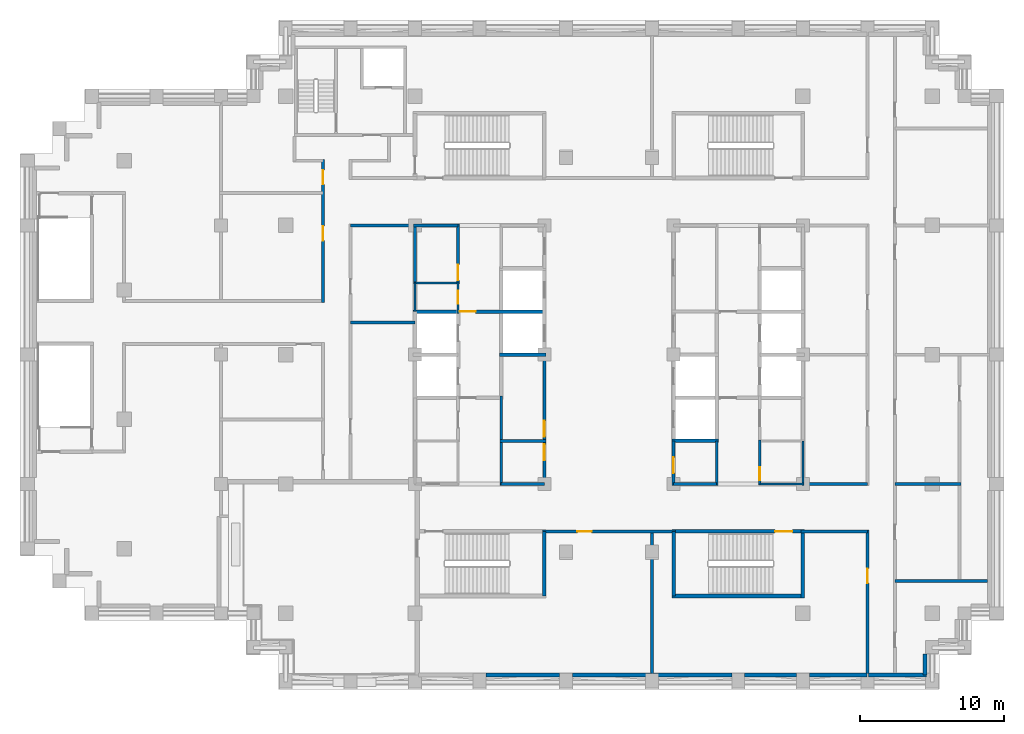
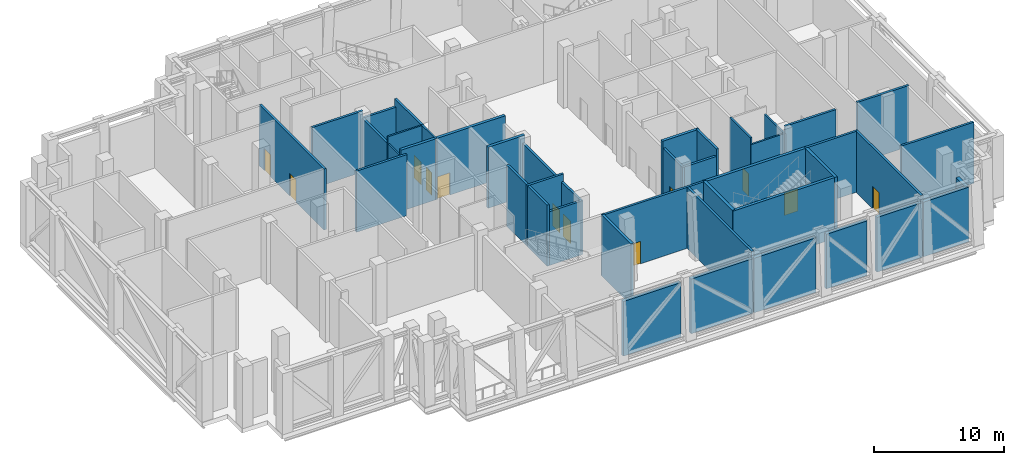
# One storey, part 5 of 10: 41 walls, 12 doors, 12 openings.
"""IFC4 building model written with IfcOpenShell, lengths in metres."""

from ifc_helpers import new_model, si_unit, direction, frame, frame_2d, origin, place, context, subcontext, project, spatial, rectangle, extrude, material, layer, layer_set, type_object, element, fill, save


model = new_model("IFC4")

# Units and contexts
model_context = context("Model", 3, precision=1e-05, world=origin(), true_north=direction((0.0, 1.0)))
body_context = subcontext(model_context, "Body", "Model", "MODEL_VIEW")
ifc_project = project(units=[si_unit("LENGTHUNIT", "METRE"), si_unit("AREAUNIT", "SQUARE_METRE"), si_unit("VOLUMEUNIT", "CUBIC_METRE"), si_unit("PLANEANGLEUNIT", "RADIAN"), si_unit("MASSUNIT", "GRAM", prefix="KILO")], contexts=[model_context])

# Site, building, storey
site_placement = place(None, origin())
site = spatial("IfcSite", under=ifc_project, at=site_placement, CompositionType="ELEMENT")
building_placement = place(site_placement, origin())
building = spatial("IfcBuilding", under=site, at=building_placement, Name="Corbelhall Arena Tower", CompositionType="ELEMENT")
storey_placement = place(building_placement, frame((0.0, 0.0, 236.0)))
storey = spatial("IfcBuildingStorey", under=building, at=storey_placement, Name="L50", CompositionType="ELEMENT", Elevation=236.0)

# Walls
ifc_material_1 = material(Name="Precast concrete C40/50 with granite facing", Category="masonry")
ifc_layer_1 = layer(ifc_material_1, 0.300048828125)
ifc_layer_set_1 = layer_set([ifc_layer_1], Name="EV-IW1 Infill panel 300")
wall_type_1 = type_object("IfcWallType", Name="EV-IW1 Infill panel 300", PredefinedType="SOLIDWALL", material=ifc_layer_set_1)
wall_1_placement = place(storey_placement, frame((-8.550048828125, -22.300048828125, 0.0), z_axis=(0.0, 0.0, 1.0), x_axis=(1.0, 0.0, 0.0)))
element("IfcWall", 1, at=wall_1_placement, inside=storey, type_object=wall_type_1, Name="Infill panel IW1", PredefinedType="SOLIDWALL", context=body_context, shape_type="SweptSolid", body=[
    extrude(rectangle(XDim=5.10009765625, YDim=0.300048828125, at=frame_2d((2.550048828125, 0.0))), origin(), (0.0, 0.0, 1.0), 5.1201171875),
])
for number, where, z_axis, x_axis, name in (
    (2, (-2.550048828125, -22.300048828125, 0.0), (0.0, 0.0, 1.0), (1.0, 0.0, 0.0), "Infill panel IW1"),
    (3, (3.050048828125, -22.300048828125, 0.0), (0.0, 0.0, 1.0), (1.0, 0.0, 0.0), "Infill panel IW1"),
):
    element("IfcWall", number, at=place(storey_placement, frame(where, z_axis=z_axis, x_axis=x_axis)), inside=storey, type_object=wall_type_1, Name=name, PredefinedType="SOLIDWALL", context=body_context, shape_type="SweptSolid", body=[
        extrude(rectangle(XDim=5.5, YDim=0.300048828125, at=frame_2d((2.75, 0.0))), origin(), (0.0, 0.0, 1.0), 5.1201171875),
    ])
wall_2_placement = place(storey_placement, frame((9.449951171875, -22.300048828125, 0.0), z_axis=(0.0, 0.0, 1.0), x_axis=(1.0, 0.0, 0.0)))
element("IfcWall", 4, at=wall_2_placement, inside=storey, type_object=wall_type_1, Name="Infill panel IW1", PredefinedType="SOLIDWALL", context=body_context, shape_type="SweptSolid", body=[
    extrude(rectangle(XDim=3.60009765625, YDim=0.300048828125, at=frame_2d((1.800048828125, 0.0))), origin(), (0.0, 0.0, 1.0), 5.1201171875),
])
wall_3_placement = place(storey_placement, frame((13.949951171875, -22.300048828125, 0.0), z_axis=(0.0, 0.0, 1.0), x_axis=(1.0, 0.0, 0.0)))
element("IfcWall", 5, at=wall_3_placement, inside=storey, type_object=wall_type_1, Name="Infill panel IW1", PredefinedType="SOLIDWALL", context=body_context, shape_type="SweptSolid", body=[
    extrude(rectangle(XDim=4.0, YDim=0.300048828125, at=frame_2d((2.0, 0.0))), origin(), (0.0, 0.0, 1.0), 5.1201171875),
])
wall_4_placement = place(storey_placement, frame((18.050048828125, -22.300048828125, 0.0), z_axis=(0.0, 0.0, 1.0), x_axis=(1.0, 0.0, 0.0)))
element("IfcWall", 6, at=wall_4_placement, inside=storey, type_object=wall_type_1, Name="Infill panel IW1", PredefinedType="SOLIDWALL", context=body_context, shape_type="SweptSolid", body=[
    extrude(rectangle(XDim=4.06005859375, YDim=0.300048828125, at=frame_2d((2.030029296875, 0.0))), origin(), (0.0, 0.0, 1.0), 5.1201171875),
])
wall_5_placement = place(storey_placement, frame((22.0, -22.300048828125, 0.0), z_axis=(0.0, 0.0, 1.0), x_axis=(0.0, 1.0, 0.0)))
element("IfcWall", 7, at=wall_5_placement, inside=storey, type_object=wall_type_1, Name="Infill panel IW1", PredefinedType="SOLIDWALL", context=body_context, shape_type="SweptSolid", body=[
    extrude(rectangle(XDim=1.449951171875, YDim=0.300048828125, at=frame_2d((0.72509765625, 0.0))), origin(), (0.0, 0.0, 1.0), 5.1201171875),
])

# Wall, openings, doors
ifc_material_2 = material(Name="Gypsum board on steel stud, acoustic", Category="steel")
ifc_layer_2 = layer(ifc_material_2, 0.199951171875)
ifc_layer_set_2 = layer_set([ifc_layer_2], Name="IN-W-DM200")
wall_type_2 = type_object("IfcWallType", Name="IN-W-DM200", PredefinedType="PARTITIONING", material=ifc_layer_set_2)
wall_6_placement = place(storey_placement, frame((-19.89990234375, 3.64990234375, 0.0), z_axis=(0.0, 0.0, 1.0), x_axis=(0.0, 1.0, 0.0)))
wall_6 = element("IfcWall", 8, at=wall_6_placement, inside=storey, type_object=wall_type_2, Name="Partition 014", PredefinedType="PARTITIONING", context=body_context, shape_type="SweptSolid", body=[
    extrude(rectangle(XDim=9.9501953125, YDim=0.199951171875, at=frame_2d((4.97509765625, 0.0))), origin(), (0.0, 0.0, 1.0), 5.719970703125),
])
opening_1_placement = place(wall_6_placement, frame((4.300048828125, 0.0, 0.0)))
opening_1 = element("IfcOpeningElement", 9, at=opening_1_placement, cuts=wall_6, Name="Opening 28031", PredefinedType="OPENING", context=body_context, shape_type="SweptSolid", body=[
    extrude(rectangle(XDim=1.0, YDim=2.10009765625, at=frame_2d((0.5, 1.050048828125))), frame((0.0, 0.10009765625, 0.0), z_axis=(0.0, -1.0, 0.0), x_axis=(1.0, 0.0, 0.0)), (0.0, 0.0, 1.0), 0.199951171875),
])
opening_2_placement = place(wall_6_placement, frame((8.199951171875, 0.0, 0.0)))
opening_2 = element("IfcOpeningElement", 10, at=opening_2_placement, cuts=wall_6, Name="Opening 28032", PredefinedType="OPENING", context=body_context, shape_type="SweptSolid", body=[
    extrude(rectangle(XDim=1.0, YDim=2.10009765625, at=frame_2d((0.5, 1.050048828125))), frame((0.0, 0.10009765625, 0.0), z_axis=(0.0, -1.0, 0.0), x_axis=(1.0, 0.0, 0.0)), (0.0, 0.0, 1.0), 0.199951171875),
])
ifc_material_3 = material(Name="Steel door set", Category="steel")
door_type_1 = type_object("IfcDoorType", Name="IN-D-SW100", OperationType="NOTDEFINED", PredefinedType="DOOR", material=ifc_material_3)
door_1_placement = place(opening_1_placement, origin())
door_1 = element("IfcDoor", 11, at=door_1_placement, inside=storey, type_object=door_type_1, Name="Door 031", OperationType="SINGLE_SWING_RIGHT", OverallHeight=2.10009765625, OverallWidth=1.0, PredefinedType="DOOR", context=body_context, shape_type="SweptSolid", body=[
    extrude(rectangle(XDim=1.0, YDim=2.10009765625, at=frame_2d((0.5, 1.050048828125))), frame((0.0, 0.02490234375, 0.0), z_axis=(0.0, -1.0, 0.0), x_axis=(1.0, 0.0, 0.0)), (0.0, 0.0, 1.0), 0.050048828125),
])
fill(opening_1, door_1)
door_2_placement = place(opening_2_placement, origin())
door_2 = element("IfcDoor", 12, at=door_2_placement, inside=storey, type_object=door_type_1, Name="Door 032", OperationType="SINGLE_SWING_LEFT", OverallHeight=2.10009765625, OverallWidth=1.0, PredefinedType="DOOR", context=body_context, shape_type="SweptSolid", body=[
    extrude(rectangle(XDim=1.0, YDim=2.10009765625, at=frame_2d((0.5, 1.050048828125))), frame((0.0, 0.02490234375, 0.0), z_axis=(0.0, -1.0, 0.0), x_axis=(1.0, 0.0, 0.0)), (0.0, 0.0, 1.0), 0.050048828125),
])
fill(opening_2, door_2)

# Walls
for number, where, z_axis, x_axis, name in (
    (13, (-18.0, 2.25, 0.0), (0.0, 0.0, 1.0), (1.0, 0.0, 0.0), "Partition 016"),
    (14, (-13.5, 9.0, 0.0), (0.0, 0.0, 1.0), (-1.0, 0.0, 0.0), "Partition 022"),
):
    element("IfcWall", number, at=place(storey_placement, frame(where, z_axis=z_axis, x_axis=x_axis)), inside=storey, type_object=wall_type_2, Name=name, PredefinedType="PARTITIONING", context=body_context, shape_type="SweptSolid", body=[
        extrude(rectangle(XDim=4.5, YDim=0.199951171875, at=frame_2d((2.25, 0.0))), origin(), (0.0, 0.0, 1.0), 5.719970703125),
    ])

# Wall, opening, door
wall_7_placement = place(storey_placement, frame((4.625, -12.300048828125, 0.0), z_axis=(0.0, 0.0, 1.0), x_axis=(-1.0, 0.0, 0.0)))
wall_7 = element("IfcWall", 15, at=wall_7_placement, inside=storey, type_object=wall_type_2, Name="Partition 024", PredefinedType="PARTITIONING", context=body_context, shape_type="SweptSolid", body=[
    extrude(rectangle(XDim=9.25, YDim=0.199951171875, at=frame_2d((4.625, 0.0))), origin(), (0.0, 0.0, 1.0), 5.719970703125),
])
opening_3_placement = place(wall_7_placement, frame((5.824951171875, 0.0, 0.0)))
opening_3 = element("IfcOpeningElement", 16, at=opening_3_placement, cuts=wall_7, Name="Opening 28029", PredefinedType="OPENING", context=body_context, shape_type="SweptSolid", body=[
    extrude(rectangle(XDim=1.0, YDim=2.10009765625, at=frame_2d((0.5, 1.050048828125))), frame((0.0, 0.10009765625, 0.0), z_axis=(0.0, -1.0, 0.0), x_axis=(1.0, 0.0, 0.0)), (0.0, 0.0, 1.0), 0.199951171875),
])
door_3_placement = place(opening_3_placement, origin())
door_3 = element("IfcDoor", 17, at=door_3_placement, inside=storey, type_object=door_type_1, Name="Door 029", OperationType="SINGLE_SWING_RIGHT", OverallHeight=2.10009765625, OverallWidth=1.0, PredefinedType="DOOR", context=body_context, shape_type="SweptSolid", body=[
    extrude(rectangle(XDim=1.0, YDim=2.10009765625, at=frame_2d((0.5, 1.050048828125))), frame((0.0, 0.02490234375, 0.0), z_axis=(0.0, -1.0, 0.0), x_axis=(1.0, 0.0, 0.0)), (0.0, 0.0, 1.0), 0.050048828125),
])
fill(opening_3, door_3)

# Walls
wall_8_placement = place(storey_placement, frame((3.0, -12.300048828125, 0.0), z_axis=(0.0, 0.0, 1.0), x_axis=(0.0, -1.0, 0.0)))
element("IfcWall", 18, at=wall_8_placement, inside=storey, type_object=wall_type_2, Name="Partition 025", PredefinedType="PARTITIONING", context=body_context, shape_type="SweptSolid", body=[
    extrude(rectangle(XDim=10.0, YDim=0.199951171875, at=frame_2d((5.0, 0.0))), origin(), (0.0, 0.0, 1.0), 5.719970703125),
])
wall_9_placement = place(storey_placement, frame((13.5, -9.0, 0.0), z_axis=(0.0, 0.0, 1.0), x_axis=(1.0, 0.0, 0.0)))
element("IfcWall", 19, at=wall_9_placement, inside=storey, type_object=wall_type_2, Name="Partition 028", PredefinedType="PARTITIONING", context=body_context, shape_type="SweptSolid", body=[
    extrude(rectangle(XDim=4.5, YDim=0.199951171875, at=frame_2d((2.25, 0.0))), origin(), (0.0, 0.0, 1.0), 5.719970703125),
])

# Wall, opening, door
wall_10_placement = place(storey_placement, frame((18.0, -22.300048828125, 0.0), z_axis=(0.0, 0.0, 1.0), x_axis=(0.0, 1.0, 0.0)))
wall_10 = element("IfcWall", 20, at=wall_10_placement, inside=storey, type_object=wall_type_2, Name="Partition 030", PredefinedType="PARTITIONING", context=body_context, shape_type="SweptSolid", body=[
    extrude(rectangle(XDim=10.10009765625, YDim=0.199951171875, at=frame_2d((5.050048828125, 0.0))), origin(), (0.0, 0.0, 1.0), 5.719970703125),
])
opening_4_placement = place(wall_10_placement, frame((6.39990234375, 0.0, 0.0)))
opening_4 = element("IfcOpeningElement", 21, at=opening_4_placement, cuts=wall_10, Name="Opening 28030", PredefinedType="OPENING", context=body_context, shape_type="SweptSolid", body=[
    extrude(rectangle(XDim=1.0, YDim=2.10009765625, at=frame_2d((0.5, 1.050048828125))), frame((0.0, 0.10009765625, 0.0), z_axis=(0.0, -1.0, 0.0), x_axis=(1.0, 0.0, 0.0)), (0.0, 0.0, 1.0), 0.199951171875),
])
door_4_placement = place(opening_4_placement, origin())
door_4 = element("IfcDoor", 22, at=door_4_placement, inside=storey, type_object=door_type_1, Name="Door 030", OperationType="SINGLE_SWING_LEFT", OverallHeight=2.10009765625, OverallWidth=1.0, PredefinedType="DOOR", context=body_context, shape_type="SweptSolid", body=[
    extrude(rectangle(XDim=1.0, YDim=2.10009765625, at=frame_2d((0.5, 1.050048828125))), frame((0.0, 0.02490234375, 0.0), z_axis=(0.0, -1.0, 0.0), x_axis=(1.0, 0.0, 0.0)), (0.0, 0.0, 1.0), 0.050048828125),
])
fill(opening_4, door_4)

# Walls
wall_11_placement = place(storey_placement, frame((18.0, -12.300048828125, 0.0), z_axis=(0.0, 0.0, 1.0), x_axis=(-1.0, 0.0, 0.0)))
element("IfcWall", 23, at=wall_11_placement, inside=storey, type_object=wall_type_2, Name="Partition 031", PredefinedType="PARTITIONING", context=body_context, shape_type="SweptSolid", body=[
    extrude(rectangle(XDim=4.625, YDim=0.199951171875, at=frame_2d((2.3125, 0.0))), origin(), (0.0, 0.0, 1.0), 5.719970703125),
])
wall_12_placement = place(storey_placement, frame((19.89990234375, -15.75, 0.0), z_axis=(0.0, 0.0, 1.0), x_axis=(1.0, 0.0, 0.0)))
element("IfcWall", 24, at=wall_12_placement, inside=storey, type_object=wall_type_2, Name="Partition 035", PredefinedType="PARTITIONING", context=body_context, shape_type="SweptSolid", body=[
    extrude(rectangle(XDim=6.4501953125, YDim=0.199951171875, at=frame_2d((3.22509765625, 0.0))), origin(), (0.0, 0.0, 1.0), 5.719970703125),
])
wall_13_placement = place(storey_placement, frame((19.89990234375, -9.0, 0.0), z_axis=(0.0, 0.0, 1.0), x_axis=(1.0, 0.0, 0.0)))
element("IfcWall", 25, at=wall_13_placement, inside=storey, type_object=wall_type_2, Name="Partition 037", PredefinedType="PARTITIONING", context=body_context, shape_type="SweptSolid", body=[
    extrude(rectangle(XDim=4.60009765625, YDim=0.199951171875, at=frame_2d((2.300048828125, 0.0))), origin(), (0.0, 0.0, 1.0), 5.719970703125),
])

# Wall, opening, door
ifc_material_4 = material(Name="Concrete block wall", Category="concrete")
ifc_layer_3 = layer(ifc_material_4, 0.199951171875)
ifc_layer_set_3 = layer_set([ifc_layer_3], Name="IN-W-RS200")
wall_type_3 = type_object("IfcWallType", Name="IN-W-RS200", PredefinedType="SOLIDWALL", material=ifc_layer_set_3)
wall_14_placement = place(storey_placement, frame((-10.5, 4.925048828125, 0.0), z_axis=(0.0, 0.0, 1.0), x_axis=(0.0, 1.0, 0.0)))
wall_14 = element("IfcWall", 26, at=wall_14_placement, inside=storey, type_object=wall_type_3, Name="Partition 046", PredefinedType="SOLIDWALL", context=body_context, shape_type="SweptSolid", body=[
    extrude(rectangle(XDim=4.175048828125, YDim=0.199951171875, at=frame_2d((2.08740234375, 0.0))), origin(), (0.0, 0.0, 1.0), 5.719970703125),
])
opening_5_placement = place(wall_14_placement, frame((0.25, 0.0, 0.0)))
opening_5 = element("IfcOpeningElement", 27, at=opening_5_placement, cuts=wall_14, Name="Opening 28008", PredefinedType="OPENING", context=body_context, shape_type="SweptSolid", body=[
    extrude(rectangle(XDim=1.10009765625, YDim=2.10009765625, at=frame_2d((0.550048828125, 1.050048828125))), frame((0.0, 0.10009765625, 0.0), z_axis=(0.0, -1.0, 0.0), x_axis=(1.0, 0.0, 0.0)), (0.0, 0.0, 1.0), 0.199951171875),
])
door_type_2 = type_object("IfcDoorType", Name="IN-D-FD110", OperationType="NOTDEFINED", PredefinedType="DOOR", material=ifc_material_3)
door_5_placement = place(opening_5_placement, origin())
door_5 = element("IfcDoor", 28, at=door_5_placement, inside=storey, type_object=door_type_2, Name="Door 008", OperationType="SINGLE_SWING_LEFT", OverallHeight=2.10009765625, OverallWidth=1.10009765625, PredefinedType="DOOR", context=body_context, shape_type="SweptSolid", body=[
    extrude(rectangle(XDim=1.10009765625, YDim=2.10009765625, at=frame_2d((0.550048828125, 1.050048828125))), frame((0.0, 0.02490234375, 0.0), z_axis=(0.0, -1.0, 0.0), x_axis=(1.0, 0.0, 0.0)), (0.0, 0.0, 1.0), 0.050048828125),
])
fill(opening_5, door_5)

# Walls
wall_15_placement = place(storey_placement, frame((-7.60009765625, -6.0, 0.0), z_axis=(0.0, 0.0, 1.0), x_axis=(1.0, 0.0, 0.0)))
element("IfcWall", 29, at=wall_15_placement, inside=storey, type_object=wall_type_3, Name="Partition 047", PredefinedType="SOLIDWALL", context=body_context, shape_type="SweptSolid", body=[
    extrude(rectangle(XDim=3.2001953125, YDim=0.199951171875, at=frame_2d((1.60009765625, 0.0))), origin(), (0.0, 0.0, 1.0), 5.719970703125),
])
wall_16_placement = place(storey_placement, frame((-7.5, -9.10009765625, 0.0), z_axis=(0.0, 0.0, 1.0), x_axis=(0.0, 1.0, 0.0)))
element("IfcWall", 30, at=wall_16_placement, inside=storey, type_object=wall_type_3, Name="Partition 048", PredefinedType="SOLIDWALL", context=body_context, shape_type="SweptSolid", body=[
    extrude(rectangle(XDim=6.22509765625, YDim=0.199951171875, at=frame_2d((3.112548828125, 0.0))), origin(), (0.0, 0.0, 1.0), 5.719970703125),
])
wall_17_placement = place(storey_placement, frame((7.5, -6.0, 0.0), z_axis=(0.0, 0.0, 1.0), x_axis=(0.0, -1.0, 0.0)))
element("IfcWall", 31, at=wall_17_placement, inside=storey, type_object=wall_type_3, Name="Partition 059", PredefinedType="SOLIDWALL", context=body_context, shape_type="SweptSolid", body=[
    extrude(rectangle(XDim=3.10009765625, YDim=0.199951171875, at=frame_2d((1.550048828125, 0.0))), origin(), (0.0, 0.0, 1.0), 5.719970703125),
])
ifc_layer_4 = layer(ifc_material_4, 0.199951171875)
ifc_layer_set_4 = layer_set([ifc_layer_4], Name="IN-W-RS200 under beam 678 mm")
wall_type_4 = type_object("IfcWallType", Name="IN-W-RS200 under beam 678 mm", PredefinedType="SOLIDWALL", material=ifc_layer_set_4)
wall_18_placement = place(storey_placement, frame((-13.60009765625, 9.0, 0.0), z_axis=(0.0, 0.0, 1.0), x_axis=(1.0, 0.0, 0.0)))
element("IfcWall", 32, at=wall_18_placement, inside=storey, type_object=wall_type_4, Name="Partition 042", PredefinedType="SOLIDWALL", context=body_context, shape_type="SweptSolid", body=[
    extrude(rectangle(XDim=3.10009765625, YDim=0.199951171875, at=frame_2d((1.550048828125, 0.0))), origin(), (0.0, 0.0, 1.0), 5.041748046875),
])
wall_19_placement = place(storey_placement, frame((-13.5, 5.0, 0.0), z_axis=(0.0, 0.0, 1.0), x_axis=(0.0, 1.0, 0.0)))
element("IfcWall", 33, at=wall_19_placement, inside=storey, type_object=wall_type_4, Name="Partition 044", PredefinedType="SOLIDWALL", context=body_context, shape_type="SweptSolid", body=[
    extrude(rectangle(XDim=4.10009765625, YDim=0.199951171875, at=frame_2d((2.050048828125, 0.0))), origin(), (0.0, 0.0, 1.0), 5.041748046875),
])
wall_20_placement = place(storey_placement, frame((-4.5, -9.0, 0.0), z_axis=(0.0, 0.0, 1.0), x_axis=(-1.0, 0.0, 0.0)))
element("IfcWall", 34, at=wall_20_placement, inside=storey, type_object=wall_type_4, Name="Partition 051", PredefinedType="SOLIDWALL", context=body_context, shape_type="SweptSolid", body=[
    extrude(rectangle(XDim=3.0, YDim=0.199951171875, at=frame_2d((1.5, 0.0))), origin(), (0.0, 0.0, 1.0), 5.041748046875),
])

# Wall, openings, doors
wall_21_placement = place(storey_placement, frame((-4.5, 0.0, 0.0), z_axis=(0.0, 0.0, 1.0), x_axis=(0.0, -1.0, 0.0)))
wall_21 = element("IfcWall", 35, at=wall_21_placement, inside=storey, type_object=wall_type_4, Name="Partition 052", PredefinedType="SOLIDWALL", context=body_context, shape_type="SweptSolid", body=[
    extrude(rectangle(XDim=9.10009765625, YDim=0.199951171875, at=frame_2d((4.550048828125, 0.0))), origin(), (0.0, 0.0, 1.0), 5.041748046875),
])
opening_6_placement = place(wall_21_placement, frame((6.25, 0.0, 0.0)))
opening_6 = element("IfcOpeningElement", 36, at=opening_6_placement, cuts=wall_21, Name="Opening 28001", PredefinedType="OPENING", context=body_context, shape_type="SweptSolid", body=[
    extrude(rectangle(XDim=1.10009765625, YDim=2.10009765625, at=frame_2d((0.550048828125, 1.050048828125))), frame((0.0, 0.10009765625, 0.0), z_axis=(0.0, -1.0, 0.0), x_axis=(1.0, 0.0, 0.0)), (0.0, 0.0, 1.0), 0.199951171875),
])
opening_7_placement = place(wall_21_placement, frame((4.60009765625, 0.0, 0.0)))
opening_7 = element("IfcOpeningElement", 37, at=opening_7_placement, cuts=wall_21, Name="Opening 28002", PredefinedType="OPENING", context=body_context, shape_type="SweptSolid", body=[
    extrude(rectangle(XDim=1.10009765625, YDim=2.10009765625, at=frame_2d((0.550048828125, 1.050048828125))), frame((0.0, 0.10009765625, 0.0), z_axis=(0.0, -1.0, 0.0), x_axis=(1.0, 0.0, 0.0)), (0.0, 0.0, 1.0), 0.199951171875),
])
door_6_placement = place(opening_6_placement, origin())
door_6 = element("IfcDoor", 38, at=door_6_placement, inside=storey, type_object=door_type_2, Name="Door 001", OperationType="SINGLE_SWING_RIGHT", OverallHeight=2.10009765625, OverallWidth=1.10009765625, PredefinedType="DOOR", context=body_context, shape_type="SweptSolid", body=[
    extrude(rectangle(XDim=1.10009765625, YDim=2.10009765625, at=frame_2d((0.550048828125, 1.050048828125))), frame((0.0, 0.02490234375, 0.0), z_axis=(0.0, -1.0, 0.0), x_axis=(1.0, 0.0, 0.0)), (0.0, 0.0, 1.0), 0.050048828125),
])
fill(opening_6, door_6)
door_7_placement = place(opening_7_placement, origin())
door_7 = element("IfcDoor", 39, at=door_7_placement, inside=storey, type_object=door_type_2, Name="Door 002", OperationType="SINGLE_SWING_LEFT", OverallHeight=2.10009765625, OverallWidth=1.10009765625, PredefinedType="DOOR", context=body_context, shape_type="SweptSolid", body=[
    extrude(rectangle(XDim=1.10009765625, YDim=2.10009765625, at=frame_2d((0.550048828125, 1.050048828125))), frame((0.0, 0.02490234375, 0.0), z_axis=(0.0, -1.0, 0.0), x_axis=(1.0, 0.0, 0.0)), (0.0, 0.0, 1.0), 0.050048828125),
])
fill(opening_7, door_7)

# Wall, opening, door
wall_22_placement = place(storey_placement, frame((4.5, -9.10009765625, 0.0), z_axis=(0.0, 0.0, 1.0), x_axis=(0.0, 1.0, 0.0)))
wall_22 = element("IfcWall", 40, at=wall_22_placement, inside=storey, type_object=wall_type_4, Name="Partition 055", PredefinedType="SOLIDWALL", context=body_context, shape_type="SweptSolid", body=[
    extrude(rectangle(XDim=3.10009765625, YDim=0.199951171875, at=frame_2d((1.550048828125, 0.0))), origin(), (0.0, 0.0, 1.0), 5.041748046875),
])
opening_8_placement = place(wall_22_placement, frame((0.85009765625, 0.0, 0.0)))
opening_8 = element("IfcOpeningElement", 41, at=opening_8_placement, cuts=wall_22, Name="Opening 28009", PredefinedType="OPENING", context=body_context, shape_type="SweptSolid", body=[
    extrude(rectangle(XDim=1.10009765625, YDim=2.10009765625, at=frame_2d((0.550048828125, 1.050048828125))), frame((0.0, 0.10009765625, 0.0), z_axis=(0.0, -1.0, 0.0), x_axis=(1.0, 0.0, 0.0)), (0.0, 0.0, 1.0), 0.199951171875),
])
door_8_placement = place(opening_8_placement, origin())
door_8 = element("IfcDoor", 42, at=door_8_placement, inside=storey, type_object=door_type_2, Name="Door 009", OperationType="SINGLE_SWING_RIGHT", OverallHeight=2.10009765625, OverallWidth=1.10009765625, PredefinedType="DOOR", context=body_context, shape_type="SweptSolid", body=[
    extrude(rectangle(XDim=1.10009765625, YDim=2.10009765625, at=frame_2d((0.550048828125, 1.050048828125))), frame((0.0, 0.02490234375, 0.0), z_axis=(0.0, -1.0, 0.0), x_axis=(1.0, 0.0, 0.0)), (0.0, 0.0, 1.0), 0.050048828125),
])
fill(opening_8, door_8)

# Wall
wall_23_placement = place(storey_placement, frame((7.5, -9.0, 0.0), z_axis=(0.0, 0.0, 1.0), x_axis=(-1.0, 0.0, 0.0)))
element("IfcWall", 43, at=wall_23_placement, inside=storey, type_object=wall_type_4, Name="Partition 058", PredefinedType="SOLIDWALL", context=body_context, shape_type="SweptSolid", body=[
    extrude(rectangle(XDim=3.0, YDim=0.199951171875, at=frame_2d((1.5, 0.0))), origin(), (0.0, 0.0, 1.0), 5.041748046875),
])

# Wall, opening, door
ifc_material_5 = material(Name="Concrete C40/50", Category="concrete")
ifc_layer_5 = layer(ifc_material_5, 0.25)
ifc_layer_set_5 = layer_set([ifc_layer_5], Name="IN-W-SH250")
wall_type_5 = type_object("IfcWallType", Name="IN-W-SH250", PredefinedType="SOLIDWALL", material=ifc_layer_set_5)
wall_24_placement = place(storey_placement, frame((-13.625, 3.0, 0.0), z_axis=(0.0, 0.0, 1.0), x_axis=(1.0, 0.0, 0.0)))
wall_24 = element("IfcWall", 44, at=wall_24_placement, inside=storey, type_object=wall_type_5, Name="Shaft wall 067", PredefinedType="SOLIDWALL", context=body_context, shape_type="SweptSolid", body=[
    extrude(rectangle(XDim=9.25, YDim=0.25, at=frame_2d((4.625, 0.0))), origin(), (0.0, 0.0, 1.0), 5.719970703125),
])
opening_9_placement = place(wall_24_placement, frame((3.25, 0.0, 0.0)))
opening_9 = element("IfcOpeningElement", 45, at=opening_9_placement, cuts=wall_24, Name="Opening 28005", PredefinedType="OPENING", context=body_context, shape_type="SweptSolid", body=[
    extrude(rectangle(XDim=1.10009765625, YDim=2.10009765625, at=frame_2d((0.550048828125, 1.050048828125))), frame((0.0, 0.125, 0.0), z_axis=(0.0, -1.0, 0.0), x_axis=(1.0, 0.0, 0.0)), (0.0, 0.0, 1.0), 0.25),
])
door_9_placement = place(opening_9_placement, origin())
door_9 = element("IfcDoor", 46, at=door_9_placement, inside=storey, type_object=door_type_2, Name="Door 005", OperationType="SINGLE_SWING_RIGHT", OverallHeight=2.10009765625, OverallWidth=1.10009765625, PredefinedType="DOOR", context=body_context, shape_type="SweptSolid", body=[
    extrude(rectangle(XDim=1.10009765625, YDim=2.10009765625, at=frame_2d((0.550048828125, 1.050048828125))), frame((0.0, 0.02490234375, 0.0), z_axis=(0.0, -1.0, 0.0), x_axis=(1.0, 0.0, 0.0)), (0.0, 0.0, 1.0), 0.050048828125),
])
fill(opening_9, door_9)

# Walls
for number, where, z_axis, x_axis, name in (
    (47, (-7.625, 0.0, 0.0), (0.0, 0.0, 1.0), (1.0, 0.0, 0.0), "Shaft wall 071"),
    (48, (4.375, -6.0, 0.0), (0.0, 0.0, 1.0), (1.0, 0.0, 0.0), "Shaft wall 075"),
):
    element("IfcWall", number, at=place(storey_placement, frame(where, z_axis=z_axis, x_axis=x_axis)), inside=storey, type_object=wall_type_5, Name=name, PredefinedType="SOLIDWALL", context=body_context, shape_type="SweptSolid", body=[
        extrude(rectangle(XDim=3.25, YDim=0.25, at=frame_2d((1.625, 0.0))), origin(), (0.0, 0.0, 1.0), 5.719970703125),
    ])
ifc_layer_6 = layer(ifc_material_5, 0.25)
ifc_layer_set_6 = layer_set([ifc_layer_6], Name="IN-W-ST250")
wall_type_6 = type_object("IfcWallType", Name="IN-W-ST250", PredefinedType="SOLIDWALL", material=ifc_layer_set_6)
for number, where, z_axis, x_axis, name in (
    (49, (-4.5, -12.300048828125, 0.0), (0.0, 0.0, 1.0), (0.0, -1.0, 0.0), "Shaft wall 094"),
    (50, (4.5, -16.800048828125, 0.0), (0.0, 0.0, 1.0), (0.0, 1.0, 0.0), "Shaft wall 100"),
):
    element("IfcWall", number, at=place(storey_placement, frame(where, z_axis=z_axis, x_axis=x_axis)), inside=storey, type_object=wall_type_6, Name=name, PredefinedType="SOLIDWALL", context=body_context, shape_type="SweptSolid", body=[
        extrude(rectangle(XDim=4.5, YDim=0.25, at=frame_2d((2.25, 0.0))), origin(), (0.0, 0.0, 1.0), 5.719970703125),
    ])
wall_25_placement = place(storey_placement, frame((13.5, -16.800048828125, 0.0), z_axis=(0.0, 0.0, 1.0), x_axis=(-1.0, 0.0, 0.0)))
element("IfcWall", 51, at=wall_25_placement, inside=storey, type_object=wall_type_6, Name="Shaft wall 102", PredefinedType="SOLIDWALL", context=body_context, shape_type="SweptSolid", body=[
    extrude(rectangle(XDim=9.125, YDim=0.25, at=frame_2d((4.5625, 0.0))), origin(), (0.0, 0.0, 1.0), 5.719970703125),
])
wall_26_placement = place(storey_placement, frame((13.5, -12.300048828125, 0.0), z_axis=(0.0, 0.0, 1.0), x_axis=(0.0, -1.0, 0.0)))
element("IfcWall", 52, at=wall_26_placement, inside=storey, type_object=wall_type_6, Name="Shaft wall 103", PredefinedType="SOLIDWALL", context=body_context, shape_type="SweptSolid", body=[
    extrude(rectangle(XDim=4.625, YDim=0.25, at=frame_2d((2.3125, 0.0))), origin(), (0.0, 0.0, 1.0), 5.719970703125),
])

# Wall, opening, door
wall_27_placement = place(storey_placement, frame((13.625, -12.300048828125, 0.0), z_axis=(0.0, 0.0, 1.0), x_axis=(-1.0, 0.0, 0.0)))
wall_27 = element("IfcWall", 53, at=wall_27_placement, inside=storey, type_object=wall_type_6, Name="Shaft wall 105", PredefinedType="SOLIDWALL", context=body_context, shape_type="SweptSolid", body=[
    extrude(rectangle(XDim=9.25, YDim=0.25, at=frame_2d((4.625, 0.0))), origin(), (0.0, 0.0, 1.0), 5.719970703125),
])
opening_10_placement = place(wall_27_placement, frame((0.85009765625, 0.0, 0.0)))
opening_10 = element("IfcOpeningElement", 54, at=opening_10_placement, cuts=wall_27, Name="Opening 28020", PredefinedType="OPENING", context=body_context, shape_type="SweptSolid", body=[
    extrude(rectangle(XDim=1.199951171875, YDim=2.10009765625, at=frame_2d((0.60009765625, 1.050048828125))), frame((0.0, 0.125, 0.0), z_axis=(0.0, -1.0, 0.0), x_axis=(1.0, 0.0, 0.0)), (0.0, 0.0, 1.0), 0.25),
])
door_type_3 = type_object("IfcDoorType", Name="IN-D-ST120", OperationType="NOTDEFINED", PredefinedType="DOOR", material=ifc_material_3)
door_10_placement = place(opening_10_placement, origin())
door_10 = element("IfcDoor", 55, at=door_10_placement, inside=storey, type_object=door_type_3, Name="Door 020", OperationType="SINGLE_SWING_LEFT", OverallHeight=2.10009765625, OverallWidth=1.199951171875, PredefinedType="DOOR", context=body_context, shape_type="SweptSolid", body=[
    extrude(rectangle(XDim=1.199951171875, YDim=2.10009765625, at=frame_2d((0.60009765625, 1.050048828125))), frame((0.0, 0.02490234375, 0.0), z_axis=(0.0, -1.0, 0.0), x_axis=(1.0, 0.0, 0.0)), (0.0, 0.0, 1.0), 0.050048828125),
])
fill(opening_10, door_10)

# Wall
ifc_material_6 = material(Name="Gypsum board on steel stud, moisture resistant", Category="steel")
ifc_layer_7 = layer(ifc_material_6, 0.14990234375)
ifc_layer_set_7 = layer_set([ifc_layer_7], Name="IN-W-WC150")
wall_type_7 = type_object("IfcWallType", Name="IN-W-WC150", PredefinedType="PARTITIONING", material=ifc_layer_set_7)
wall_28_placement = place(storey_placement, frame((-13.60009765625, 5.0, 0.0), z_axis=(0.0, 0.0, 1.0), x_axis=(1.0, 0.0, 0.0)))
element("IfcWall", 56, at=wall_28_placement, inside=storey, type_object=wall_type_7, Name="Partition 107", PredefinedType="PARTITIONING", context=body_context, shape_type="SweptSolid", body=[
    extrude(rectangle(XDim=3.10009765625, YDim=0.14990234375, at=frame_2d((1.550048828125, 0.0))), origin(), (0.0, 0.0, 1.0), 5.719970703125),
])

# Wall, opening, door
wall_29_placement = place(storey_placement, frame((-10.5, 2.875, 0.0), z_axis=(0.0, 0.0, 1.0), x_axis=(0.0, 1.0, 0.0)))
wall_29 = element("IfcWall", 57, at=wall_29_placement, inside=storey, type_object=wall_type_7, Name="Partition 112", PredefinedType="PARTITIONING", context=body_context, shape_type="SweptSolid", body=[
    extrude(rectangle(XDim=2.199951171875, YDim=0.14990234375, at=frame_2d((1.10009765625, 0.0))), origin(), (0.0, 0.0, 1.0), 5.719970703125),
])
opening_11_placement = place(wall_29_placement, frame((0.669921875, 0.0, 0.0)))
opening_11 = element("IfcOpeningElement", 58, at=opening_11_placement, cuts=wall_29, Name="Opening 28044", PredefinedType="OPENING", context=body_context, shape_type="SweptSolid", body=[
    extrude(rectangle(XDim=0.89990234375, YDim=2.10009765625, at=frame_2d((0.449951171875, 1.050048828125))), frame((0.0, 0.074951171875, 0.0), z_axis=(0.0, -1.0, 0.0), x_axis=(1.0, 0.0, 0.0)), (0.0, 0.0, 1.0), 0.14990234375),
])
ifc_material_7 = material(Name="Timber door set", Category="wood")
door_type_4 = type_object("IfcDoorType", Name="IN-D-SW90", OperationType="NOTDEFINED", PredefinedType="DOOR", material=ifc_material_7)
door_11_placement = place(opening_11_placement, origin())
door_11 = element("IfcDoor", 59, at=door_11_placement, inside=storey, type_object=door_type_4, Name="Door 044", OperationType="SINGLE_SWING_LEFT", OverallHeight=2.10009765625, OverallWidth=0.89990234375, PredefinedType="DOOR", context=body_context, shape_type="SweptSolid", body=[
    extrude(rectangle(XDim=0.89990234375, YDim=2.10009765625, at=frame_2d((0.449951171875, 1.050048828125))), frame((0.0, 0.02490234375, 0.0), z_axis=(0.0, -1.0, 0.0), x_axis=(1.0, 0.0, 0.0)), (0.0, 0.0, 1.0), 0.050048828125),
])
fill(opening_11, door_11)

wall_30_placement = place(storey_placement, frame((10.5, -5.925048828125, 0.0), z_axis=(0.0, 0.0, 1.0), x_axis=(0.0, -1.0, 0.0)))
wall_30 = element("IfcWall", 60, at=wall_30_placement, inside=storey, type_object=wall_type_7, Name="Partition 114", PredefinedType="PARTITIONING", context=body_context, shape_type="SweptSolid", body=[
    extrude(rectangle(XDim=3.14990234375, YDim=0.14990234375, at=frame_2d((1.574951171875, 0.0))), origin(), (0.0, 0.0, 1.0), 5.719970703125),
])
opening_12_placement = place(wall_30_placement, frame((1.89990234375, 0.0, 0.0)))
opening_12 = element("IfcOpeningElement", 61, at=opening_12_placement, cuts=wall_30, Name="Opening 28014", PredefinedType="OPENING", context=body_context, shape_type="SweptSolid", body=[
    extrude(rectangle(XDim=0.89990234375, YDim=2.10009765625, at=frame_2d((0.449951171875, 1.050048828125))), frame((0.0, 0.074951171875, 0.0), z_axis=(0.0, -1.0, 0.0), x_axis=(1.0, 0.0, 0.0)), (0.0, 0.0, 1.0), 0.14990234375),
])
door_12_placement = place(opening_12_placement, origin())
door_12 = element("IfcDoor", 62, at=door_12_placement, inside=storey, type_object=door_type_4, Name="Door 014", OperationType="SINGLE_SWING_LEFT", OverallHeight=2.10009765625, OverallWidth=0.89990234375, PredefinedType="DOOR", context=body_context, shape_type="SweptSolid", body=[
    extrude(rectangle(XDim=0.89990234375, YDim=2.10009765625, at=frame_2d((0.449951171875, 1.050048828125))), frame((0.0, 0.02490234375, 0.0), z_axis=(0.0, -1.0, 0.0), x_axis=(1.0, 0.0, 0.0)), (0.0, 0.0, 1.0), 0.050048828125),
])
fill(opening_12, door_12)

# Walls
ifc_layer_8 = layer(ifc_material_6, 0.14990234375)
ifc_layer_set_8 = layer_set([ifc_layer_8], Name="IN-W-WC150 under beam 678 mm")
wall_type_8 = type_object("IfcWallType", Name="IN-W-WC150 under beam 678 mm", PredefinedType="PARTITIONING", material=ifc_layer_set_8)
wall_31_placement = place(storey_placement, frame((-13.5, 3.0, 0.0), z_axis=(0.0, 0.0, 1.0), x_axis=(0.0, 1.0, 0.0)))
element("IfcWall", 63, at=wall_31_placement, inside=storey, type_object=wall_type_8, Name="Partition 109", PredefinedType="PARTITIONING", context=body_context, shape_type="SweptSolid", body=[
    extrude(rectangle(XDim=2.0, YDim=0.14990234375, at=frame_2d((1.0, 0.0))), origin(), (0.0, 0.0, 1.0), 5.041748046875),
])
wall_32_placement = place(storey_placement, frame((13.5, -6.0, 0.0), z_axis=(0.0, 0.0, 1.0), x_axis=(0.0, -1.0, 0.0)))
element("IfcWall", 64, at=wall_32_placement, inside=storey, type_object=wall_type_8, Name="Partition 115", PredefinedType="PARTITIONING", context=body_context, shape_type="SweptSolid", body=[
    extrude(rectangle(XDim=3.10009765625, YDim=0.14990234375, at=frame_2d((1.550048828125, 0.0))), origin(), (0.0, 0.0, 1.0), 5.041748046875),
])
wall_33_placement = place(storey_placement, frame((13.574951171875, -9.0, 0.0), z_axis=(0.0, 0.0, 1.0), x_axis=(-1.0, 0.0, 0.0)))
element("IfcWall", 65, at=wall_33_placement, inside=storey, type_object=wall_type_8, Name="Partition 116", PredefinedType="PARTITIONING", context=body_context, shape_type="SweptSolid", body=[
    extrude(rectangle(XDim=3.074951171875, YDim=0.14990234375, at=frame_2d((1.53759765625, 0.0))), origin(), (0.0, 0.0, 1.0), 5.041748046875),
])

save(model, "model.ifc")
